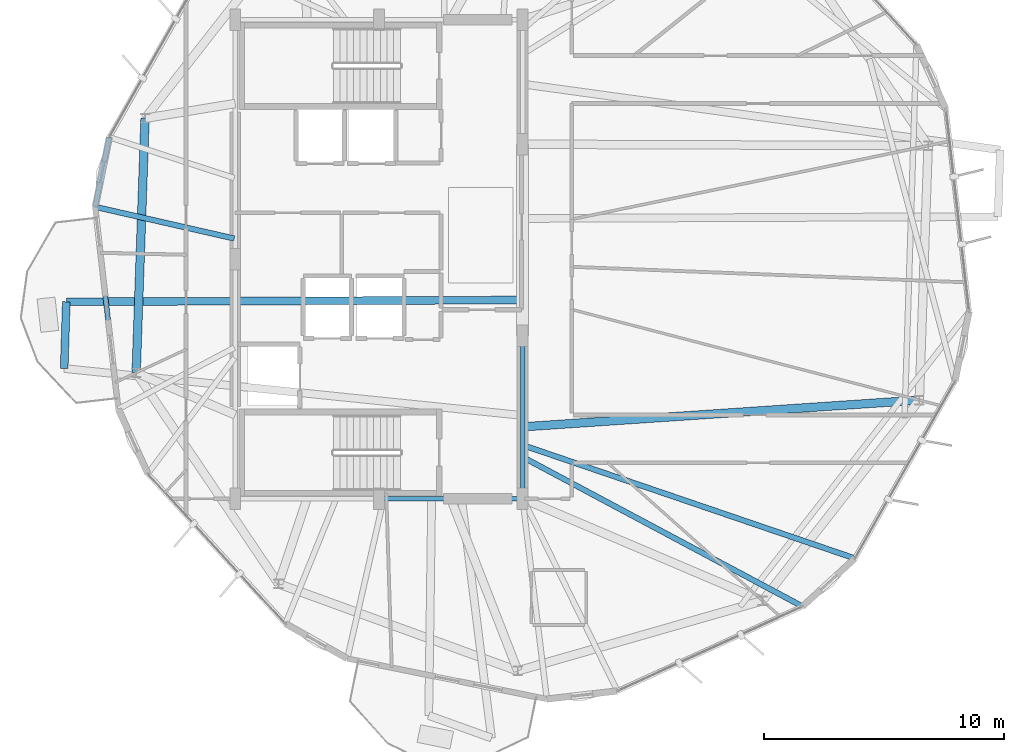
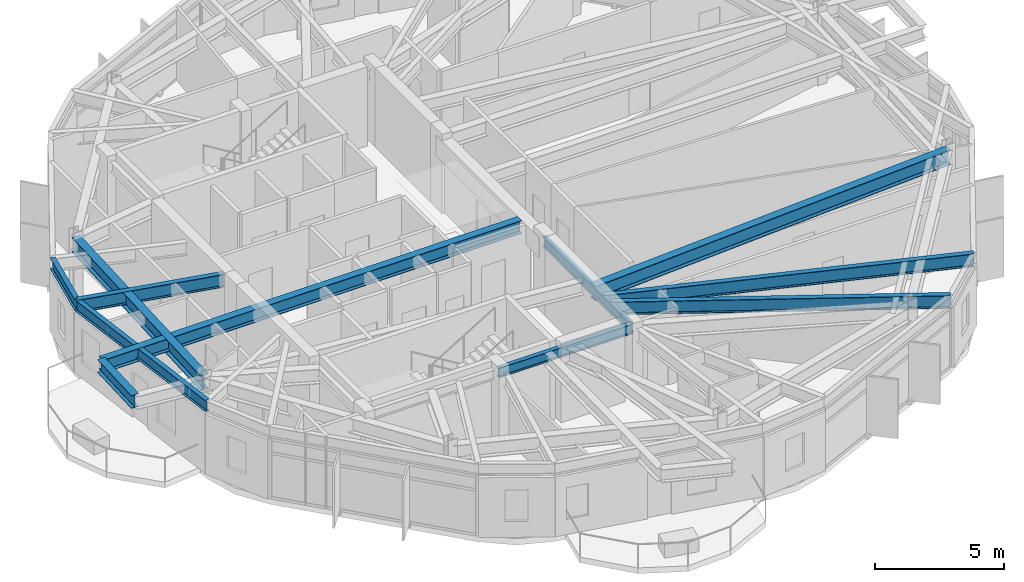
# One storey, part 7 of 23: 11 beams.
"""IFC4 building model written with IfcOpenShell, lengths in metres."""

import ifcopenshell
import ifcopenshell.guid

model = None  # the IFC model being written
_history = None  # IfcOwnerHistory: only IFC2X3 demands one
_inside = {}  # id of a spatial element -> (the spatial element, [elements in it])
_under = {}  # id of a project, library or spatial element -> (it, [spatial elements below it])
_declared = {}  # id of a project -> (the project, [libraries it declares])
_typed = {}  # id of a type object -> (the type object, [elements of that type])
_made_of = {}  # id of a material, layer set ... -> (it, [elements and type objects made of it])


def new_model(schema):
    """Start an empty IFC model of exactly this schema.

    Asked for "IFC4X3", IfcOpenShell would pick the latest addendum, in which some entities
    have other attributes; the version numbers below select the first issue.
    IFC2X3 requires an IfcOwnerHistory on every rooted entity: one is made here for all.
    """
    global model, _history
    if schema == "IFC4X3":
        model = ifcopenshell.file(schema_version=(4, 3, 0, 0))
    else:
        model = ifcopenshell.file(schema=schema)
    _inside.clear()
    _under.clear()
    _declared.clear()
    _typed.clear()
    _made_of.clear()
    _history = None
    if model.schema == "IFC2X3":
        org = make("IfcOrganization", Name="unknown")
        user = make(
            "IfcPersonAndOrganization",
            ThePerson=make("IfcPerson", FamilyName="unknown"),
            TheOrganization=org,
        )
        app = make(
            "IfcApplication",
            ApplicationDeveloper=org,
            Version="unknown",
            ApplicationFullName="unknown",
            ApplicationIdentifier="unknown",
        )
        _history = make(
            "IfcOwnerHistory",
            OwningUser=user,
            OwningApplication=app,
            ChangeAction="ADDED",
            CreationDate=0,
        )
    return model


def make(cls, **values):
    """One entity of the class cls with the attributes given. An attribute that is None is left unset."""
    return model.create_entity(
        cls, **{name: value for name, value in values.items() if value is not None}
    )


def rooted(cls, **values):
    """An entity with a GlobalId (a new one), such as an element, a storey or a relation."""
    return make(cls, GlobalId=ifcopenshell.guid.new(), OwnerHistory=_history, **values)


def si_unit(unit_type, name, prefix=None):
    """IfcSIUnit, for example si_unit("LENGTHUNIT", "METRE", prefix="MILLI")."""
    return make("IfcSIUnit", UnitType=unit_type, Prefix=prefix, Name=name)


def assignment(units):
    """IfcUnitAssignment: the units of a project."""
    return None if units is None else make("IfcUnitAssignment", Units=units)


def point(xyz):
    """IfcCartesianPoint."""
    return None if xyz is None else make("IfcCartesianPoint", Coordinates=xyz)


def direction(xyz):
    """IfcDirection."""
    return None if xyz is None else make("IfcDirection", DirectionRatios=xyz)


def frame(location, z_axis=None, x_axis=None):
    """IfcAxis2Placement3D, a coordinate frame: its origin and axes. An axis left out is left unset."""
    return make(
        "IfcAxis2Placement3D",
        Location=point(location),
        Axis=direction(z_axis),
        RefDirection=direction(x_axis),
    )


def frame_2d(location, x_axis=None):
    """IfcAxis2Placement2D, a coordinate frame in the plane: its origin and x axis."""
    return make(
        "IfcAxis2Placement2D", Location=point(location), RefDirection=direction(x_axis)
    )


def origin():
    """The frame at (0, 0, 0) with its axes left unset."""
    return frame((0.0, 0.0, 0.0))


def origin_2d():
    """The frame at (0, 0) in the plane with its x axis left unset."""
    return frame_2d((0.0, 0.0))


def place(relative_to, where):
    """IfcLocalPlacement: puts the frame where relative to a parent placement (None: the world)."""
    return make(
        "IfcLocalPlacement", PlacementRelTo=relative_to, RelativePlacement=where
    )


def context(
    kind, dimensions, precision=None, world=None, true_north=None, identifier=None
):
    """IfcGeometricRepresentationContext, for example the 3D "Model" context."""
    return make(
        "IfcGeometricRepresentationContext",
        ContextIdentifier=identifier,
        ContextType=kind,
        CoordinateSpaceDimension=dimensions,
        Precision=precision,
        WorldCoordinateSystem=world,
        TrueNorth=true_north,
    )


def subcontext(parent, identifier, kind, view, scale=None):
    """IfcGeometricRepresentationSubContext, for example "Body" below "Model"."""
    return make(
        "IfcGeometricRepresentationSubContext",
        ContextIdentifier=identifier,
        ContextType=kind,
        ParentContext=parent,
        TargetScale=scale,
        TargetView=view,
    )


def project(units=None, contexts=None):
    """IfcProject with its units and contexts."""
    return rooted(
        "IfcProject",
        Name="project",
        RepresentationContexts=contexts,
        UnitsInContext=assignment(units),
    )


def spatial(cls, under=None, at=None, **own):
    """A site, building, storey or space (cls), placed at a placement, below another one or the project."""
    s = rooted(cls, ObjectPlacement=at, **own)
    if under is not None:
        _under.setdefault(under.id(), (under, []))[1].append(s)
    return s


def profile(cls, at=None, kind="AREA", **sizes):
    """A parametric profile (cls). Its sizes go by their IFC names, for example OverallWidth=200.0."""
    return make(cls, ProfileType=kind, Position=at, **sizes)


def i_section(**sizes):
    """IfcIShapeProfileDef."""
    return profile("IfcIShapeProfileDef", **sizes)


def extrude(swept, where, along, depth):
    """IfcExtrudedAreaSolid: the profile swept, set in the frame where, extruded along a direction by depth."""
    return make(
        "IfcExtrudedAreaSolid",
        SweptArea=swept,
        Position=where,
        ExtrudedDirection=direction(along),
        Depth=depth,
    )


def shape(context_of_items, identifier, shape_type, items):
    """IfcShapeRepresentation: the items that make up one representation, for example the "Body"."""
    return make(
        "IfcShapeRepresentation",
        ContextOfItems=context_of_items,
        RepresentationIdentifier=identifier,
        RepresentationType=shape_type,
        Items=items,
    )


def material(Name=None, Category=None):
    """IfcMaterial."""
    return make("IfcMaterial", Name=Name, Category=Category)


def material_profile(
    of_material, cross_section, Name=None, Category=None, Priority=None
):
    """IfcMaterialProfile: a cross section and its material."""
    return make(
        "IfcMaterialProfile",
        Name=Name,
        Material=of_material,
        Profile=cross_section,
        Priority=Priority,
        Category=Category,
    )


def profile_set(profiles, Name=None, composite=None):
    """IfcMaterialProfileSet."""
    return make(
        "IfcMaterialProfileSet",
        Name=Name,
        MaterialProfiles=profiles,
        CompositeProfile=composite,
    )


def made_of(thing, what):
    """Note that an element or type object is made of a material, layer set ...; save() writes the relation."""
    if what is not None:
        _made_of.setdefault(what.id(), (what, []))[1].append(thing)
    return thing


def type_object(cls, material=None, **own):
    """A type object (cls), such as IfcWallType, which elements share."""
    return made_of(rooted(cls, **own), material)


def element(
    cls,
    number,
    at=None,
    inside=None,
    cuts=None,
    type_object=None,
    material=None,
    context=None,
    identifier="Body",
    shape_type=None,
    held_by="IfcProductDefinitionShape",
    body=None,
    shapes=None,
    **own,
):
    """One element of the class cls, such as IfcWall. Its Tag is "e" and its number.

    at: its placement. inside: the storey or other place that contains it. cuts: it is an
    opening in that element (IfcRelVoidsElement). A single representation is given by context,
    identifier, shape_type and body (its items); several are given by shapes. held_by: the class
    of the entity that holds the representations. save() writes the other relations.
    """
    e = rooted(cls, Tag="e%d" % number, ObjectPlacement=at, **own)
    if body is not None:
        shapes = [shape(context, identifier, shape_type, body)]
    if shapes is not None:
        e.Representation = make(held_by, Representations=shapes)
    if inside is not None:
        _inside.setdefault(inside.id(), (inside, []))[1].append(e)
    if cuts is not None:
        rooted(
            "IfcRelVoidsElement", RelatingBuildingElement=cuts, RelatedOpeningElement=e
        )
    if type_object is not None:
        _typed.setdefault(type_object.id(), (type_object, []))[1].append(e)
    return made_of(e, material)


def aggregate(whole, parts):
    """IfcRelAggregates: a whole, such as a stair, and the parts it consists of."""
    return rooted("IfcRelAggregates", RelatingObject=whole, RelatedObjects=parts)


def save(model, path):
    """Write the relations noted so far, then the file.

    IfcRelAggregates (storeys below a building ...), IfcRelContainedInSpatialStructure (elements
    in a storey), IfcRelDefinesByType, IfcRelAssociatesMaterial and IfcRelDeclares: one each for
    every whole, place, type object, material and project.
    """
    for whole, parts in _under.values():
        aggregate(whole, parts)
    for where, things in _inside.values():
        rooted(
            "IfcRelContainedInSpatialStructure",
            RelatedElements=things,
            RelatingStructure=where,
        )
    for kind, things in _typed.values():
        rooted("IfcRelDefinesByType", RelatedObjects=things, RelatingType=kind)
    for what, things in _made_of.values():
        rooted("IfcRelAssociatesMaterial", RelatedObjects=things, RelatingMaterial=what)
    for by, libraries in _declared.values():
        rooted("IfcRelDeclares", RelatingContext=by, RelatedDefinitions=libraries)
    model.write(path)


model = new_model("IFC4")

# Units and contexts
model_context = context("Model", 3, precision=1e-05, world=origin(), true_north=direction((0.0, 1.0)))
body_context = subcontext(model_context, "Body", "Model", "MODEL_VIEW")
ifc_project = project(units=[si_unit("LENGTHUNIT", "METRE"), si_unit("AREAUNIT", "SQUARE_METRE"), si_unit("VOLUMEUNIT", "CUBIC_METRE"), si_unit("PLANEANGLEUNIT", "RADIAN"), si_unit("MASSUNIT", "GRAM", prefix="KILO")], contexts=[model_context])

# Site, building, storey
site_placement = place(None, origin())
site = spatial("IfcSite", under=ifc_project, at=site_placement, CompositionType="ELEMENT")
building_placement = place(site_placement, origin())
building = spatial("IfcBuilding", under=site, at=building_placement, Name="Soratama Intermodal Tower", CompositionType="ELEMENT")
storey_placement = place(building_placement, frame((0.0, 0.0, 261.25)))
storey = spatial("IfcBuildingStorey", under=building, at=storey_placement, Name="L66", CompositionType="ELEMENT", Elevation=261.25)

# Beams
ifc_material_1 = material(Name="Structural steel ASTM A992 Grade 50", Category="steel")
ifc_material_profile_1 = material_profile(ifc_material_1, i_section(OverallWidth=0.324951171875, OverallDepth=0.615966796875, WebThickness=0.013916015625, FlangeThickness=0.021484375, FilletRadius=0.013916015625, at=origin_2d()), Name="W24X117")
ifc_profile_set_1 = profile_set([ifc_material_profile_1], Name="Structural steel ASTM A992 Grade 50")
beam_type_1 = type_object("IfcBeamType", Name="BM-CANT-W24X117", PredefinedType="BEAM", material=ifc_profile_set_1)
beam_1_placement = place(storey_placement, frame((25.549072265625, 23.221923828125, 3.14208984375), z_axis=(-0.031270301844, -0.999510964533, 0.0), x_axis=(0.999510964533, -0.031270301844, 0.0)))
element("IfcBeam", 1, at=beam_1_placement, inside=storey, type_object=beam_type_1, Name="BM-L66-CBHDR-2", PredefinedType="BEAM", context=body_context, shape_type="SweptSolid", body=[
    extrude(i_section(OverallWidth=0.324951171875, OverallDepth=0.615966796875, WebThickness=0.013916015625, FlangeThickness=0.021484375, FilletRadius=0.013916015625, at=origin_2d()), origin(), (0.0, 0.0, 1.0), 2.787353515625),
])
beam_2_placement = place(storey_placement, frame((44.364990234375, 23.294921875, 3.14208984375), z_axis=(-0.999992474476, -0.003879560787, 0.0), x_axis=(0.003879560787, -0.999992474476, 0.0)))
element("IfcBeam", 2, at=beam_2_placement, inside=storey, type_object=beam_type_1, Name="BM-L66-CANT-2-1", PredefinedType="BEAM", context=body_context, shape_type="SweptSolid", body=[
    extrude(i_section(OverallWidth=0.324951171875, OverallDepth=0.615966796875, WebThickness=0.013916015625, FlangeThickness=0.021484375, FilletRadius=0.013916015625, at=origin_2d()), origin(), (0.0, 0.0, 1.0), 18.816162109375),
])
ifc_material_2 = material(Name="Structural steel ASTM A992 Grade 50", Category="steel")
ifc_material_profile_2 = material_profile(ifc_material_2, i_section(OverallWidth=0.19091796875, OverallDepth=0.4599609375, WebThickness=0.010009765625, FlangeThickness=0.01611328125, FilletRadius=0.010986328125, at=origin_2d()), Name="W18X55")
ifc_profile_set_2 = profile_set([ifc_material_profile_2], Name="Structural steel ASTM A992 Grade 50")
beam_type_2 = type_object("IfcBeamType", Name="BM-FLR-W18X55", PredefinedType="BEAM", material=ifc_profile_set_2)
beam_3_placement = place(storey_placement, frame((38.60009765625, 15.0, 3.219970703125), z_axis=(1.0, 0.0, 0.0), x_axis=(0.0, 1.0, 0.0)))
element("IfcBeam", 3, at=beam_3_placement, inside=storey, type_object=beam_type_2, Name="BM-L66-CRING-02", PredefinedType="BEAM", context=body_context, shape_type="SweptSolid", body=[
    extrude(i_section(OverallWidth=0.19091796875, OverallDepth=0.4599609375, WebThickness=0.010009765625, FlangeThickness=0.01611328125, FilletRadius=0.010986328125, at=origin_2d()), origin(), (0.0, 0.0, 1.0), 6.0),
])
beam_4_placement = place(storey_placement, frame((44.60009765625, 15.0, 3.219970703125), z_axis=(0.0, 1.0, 0.0), x_axis=(-1.0, 0.0, 0.0)))
element("IfcBeam", 4, at=beam_4_placement, inside=storey, type_object=beam_type_2, Name="BM-L66-CRING-03", PredefinedType="BEAM", context=body_context, shape_type="SweptSolid", body=[
    extrude(i_section(OverallWidth=0.19091796875, OverallDepth=0.4599609375, WebThickness=0.010009765625, FlangeThickness=0.01611328125, FilletRadius=0.010986328125, at=origin_2d()), origin(), (0.0, 0.0, 1.0), 6.800048828125),
])
ifc_material_3 = material(Name="Structural steel ASTM A992 Grade 50", Category="steel")
ifc_material_profile_3 = material_profile(ifc_material_3, i_section(OverallWidth=0.35498046875, OverallDepth=0.695068359375, WebThickness=0.015380859375, FlangeThickness=0.02490234375, FilletRadius=0.01611328125, at=origin_2d()), Name="W27X146")
ifc_profile_set_3 = profile_set([ifc_material_profile_3], Name="Structural steel ASTM A992 Grade 50")
beam_type_3 = type_object("IfcBeamType", Name="BM-RING-W27X146", PredefinedType="BEAM", material=ifc_profile_set_3)
beam_5_placement = place(storey_placement, frame((28.8369140625, 30.883056640625, 3.1025390625), z_axis=(-0.034885453879, -0.999391317307, 0.0), x_axis=(0.999391317307, -0.034885453879, 0.0)))
element("IfcBeam", 5, at=beam_5_placement, inside=storey, type_object=beam_type_3, Name="BM-L66-RING-05", PredefinedType="BEAM", context=body_context, shape_type="SweptSolid", body=[
    extrude(i_section(OverallWidth=0.35498046875, OverallDepth=0.695068359375, WebThickness=0.015380859375, FlangeThickness=0.02490234375, FilletRadius=0.01611328125, at=origin_2d()), origin(), (0.0, 0.0, 1.0), 10.630615234375),
])
beam_6_placement = place(storey_placement, frame((44.60009765625, 18.0, 3.1025390625), z_axis=(0.997733912176, 0.067283285401, 0.0), x_axis=(-0.067283285401, 0.997733912176, 0.0)))
element("IfcBeam", 6, at=beam_6_placement, inside=storey, type_object=beam_type_3, Name="BM-L66-RAD-10", PredefinedType="BEAM", context=body_context, shape_type="SweptSolid", body=[
    extrude(i_section(OverallWidth=0.35498046875, OverallDepth=0.695068359375, WebThickness=0.015380859375, FlangeThickness=0.02490234375, FilletRadius=0.01611328125, at=origin_2d()), origin(), (0.0, 0.0, 1.0), 16.6005859375),
])
ifc_material_4 = material(Name="Structural steel ASTM A992 Grade 50", Category="steel")
ifc_material_profile_4 = material_profile(ifc_material_4, i_section(OverallWidth=0.2099609375, OverallDepth=0.537109375, WebThickness=0.010986328125, FlangeThickness=0.017333984375, FilletRadius=0.012939453125, at=origin_2d()), Name="W21X68")
ifc_profile_set_4 = profile_set([ifc_material_profile_4], Name="Structural steel ASTM A992 Grade 50")
beam_type_4 = type_object("IfcBeamType", Name="BM-SPN-W21X68", PredefinedType="SPANDREL", material=ifc_profile_set_4)
beam_7_placement = place(storey_placement, frame((27.342041015625, 30.093017578125, 3.181396484375), z_axis=(-0.198932710721, -0.980013151241, 0.0), x_axis=(0.980013151241, -0.198932710721, 0.0)))
element("IfcBeam", 7, at=beam_7_placement, inside=storey, type_object=beam_type_4, Name="BS-L66-CRN03", PredefinedType="SPANDREL", context=body_context, shape_type="SweptSolid", body=[
    extrude(i_section(OverallWidth=0.2099609375, OverallDepth=0.537109375, WebThickness=0.010986328125, FlangeThickness=0.017333984375, FilletRadius=0.012939453125, at=origin_2d()), origin(), (0.0, 0.0, 1.0), 2.96630859375),
])
beam_8_placement = place(storey_placement, frame((26.751953125, 27.18603515625, 3.181396484375), z_axis=(0.113992897863, -0.993481564619, 0.0), x_axis=(0.993481564619, 0.113992897863, 0.0)))
element("IfcBeam", 8, at=beam_8_placement, inside=storey, type_object=beam_type_4, Name="BS-L66-F04", PredefinedType="SPANDREL", context=body_context, shape_type="SweptSolid", body=[
    extrude(i_section(OverallWidth=0.2099609375, OverallDepth=0.537109375, WebThickness=0.010986328125, FlangeThickness=0.017333984375, FilletRadius=0.012939453125, at=origin_2d()), origin(), (0.0, 0.0, 1.0), 8.50048828125),
])
ifc_material_5 = material(Name="Structural steel ASTM A992 Grade 50", Category="steel")
ifc_material_profile_5 = material_profile(ifc_material_5, i_section(OverallWidth=0.22900390625, OverallDepth=0.612060546875, WebThickness=0.011962890625, FlangeThickness=0.01953125, FilletRadius=0.012939453125, at=origin_2d()), Name="W24X84")
ifc_profile_set_5 = profile_set([ifc_material_profile_5], Name="Structural steel ASTM A992 Grade 50")
beam_type_5 = type_object("IfcBeamType", Name="BM-TIE-W24X84", PredefinedType="BEAM", material=ifc_profile_set_5)
beam_9_placement = place(storey_placement, frame((32.56103515625, 25.863037109375, 3.14404296875), z_axis=(-0.975032928091, 0.222060327701, 0.0), x_axis=(-0.222060327701, -0.975032928091, 0.0)))
element("IfcBeam", 9, at=beam_9_placement, inside=storey, type_object=beam_type_5, Name="BM-L66-TIE0-04", PredefinedType="BEAM", context=body_context, shape_type="SweptSolid", body=[
    extrude(i_section(OverallWidth=0.22900390625, OverallDepth=0.612060546875, WebThickness=0.011962890625, FlangeThickness=0.01953125, FilletRadius=0.012939453125, at=origin_2d()), origin(), (0.0, 0.0, 1.0), 5.957763671875),
])
beam_10_placement = place(storey_placement, frame((44.635009765625, 16.721923828125, 3.14404296875), z_axis=(0.882199967547, -0.470874948644, 0.0), x_axis=(0.470874948644, 0.882199967547, 0.0)))
element("IfcBeam", 10, at=beam_10_placement, inside=storey, type_object=beam_type_5, Name="BM-L66-TIE1-07", PredefinedType="BEAM", context=body_context, shape_type="SweptSolid", body=[
    extrude(i_section(OverallWidth=0.22900390625, OverallDepth=0.612060546875, WebThickness=0.011962890625, FlangeThickness=0.01953125, FilletRadius=0.012939453125, at=origin_2d()), origin(), (0.0, 0.0, 1.0), 13.213623046875),
])
beam_11_placement = place(storey_placement, frame((44.637939453125, 17.22607421875, 3.14404296875), z_axis=(0.9464734449, -0.322781687986, 0.0), x_axis=(0.322781687986, 0.9464734449, 0.0)))
element("IfcBeam", 11, at=beam_11_placement, inside=storey, type_object=beam_type_5, Name="BM-L66-TIE0-08", PredefinedType="BEAM", context=body_context, shape_type="SweptSolid", body=[
    extrude(i_section(OverallWidth=0.22900390625, OverallDepth=0.612060546875, WebThickness=0.011962890625, FlangeThickness=0.01953125, FilletRadius=0.012939453125, at=origin_2d()), origin(), (0.0, 0.0, 1.0), 14.622802734375),
])

save(model, "model.ifc")
